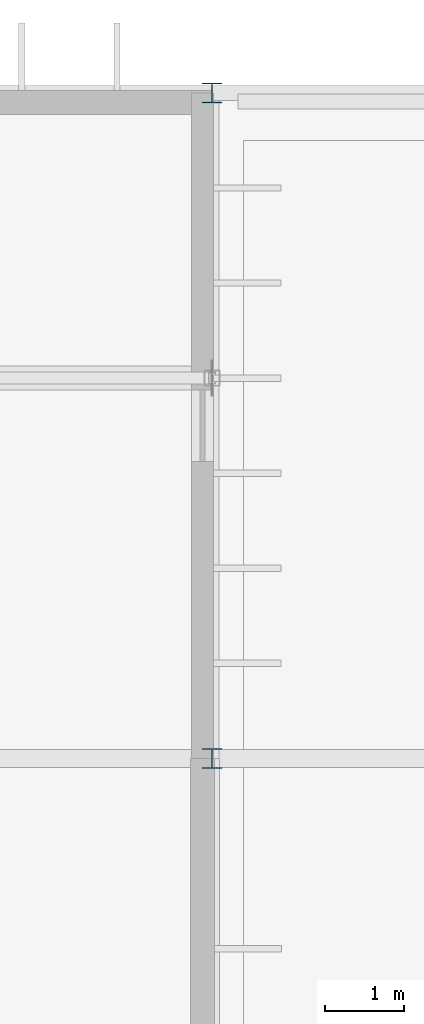
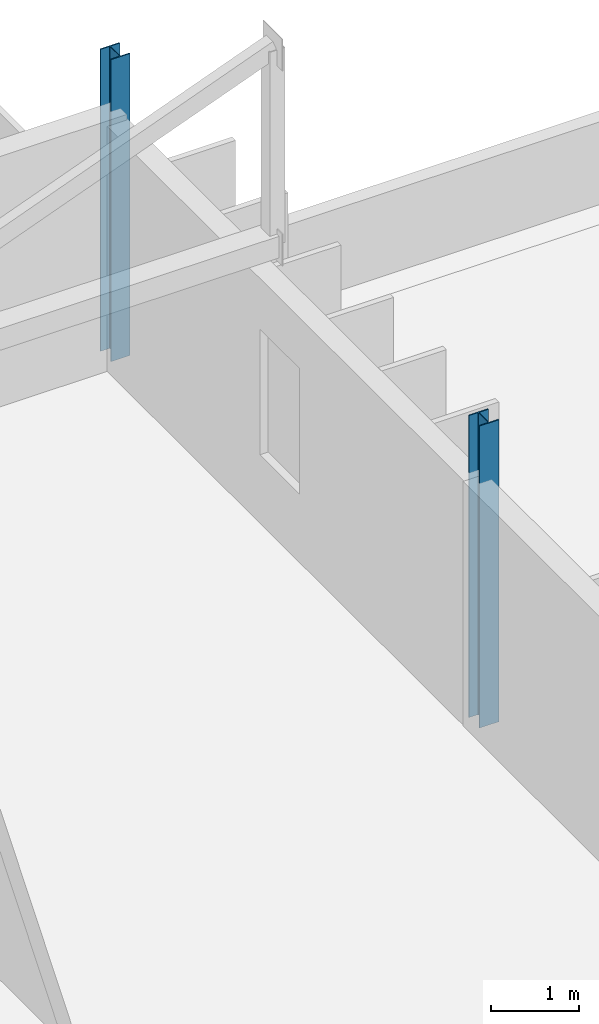
# One storey, part 11 of 52: 2 columns.
"""IFC4 building model written with IfcOpenShell, lengths in metres."""

from ifc_helpers import new_model, si_unit, direction, frame, origin, origin_2d, place, context, subcontext, project, spatial, i_section, extrude, material, material_profile, profile_set, type_object, element, save


model = new_model("IFC4")

# Units and contexts
model_context = context("Model", 3, precision=1e-05, world=origin(), true_north=direction((0.0, 1.0)))
body_context = subcontext(model_context, "Body", "Model", "MODEL_VIEW")
ifc_project = project(units=[si_unit("LENGTHUNIT", "METRE"), si_unit("AREAUNIT", "SQUARE_METRE"), si_unit("VOLUMEUNIT", "CUBIC_METRE"), si_unit("PLANEANGLEUNIT", "RADIAN"), si_unit("MASSUNIT", "GRAM", prefix="KILO")], contexts=[model_context])

# Site, building, storey
site_placement = place(None, origin())
site = spatial("IfcSite", under=ifc_project, at=site_placement, CompositionType="ELEMENT")
building_placement = place(site_placement, origin())
building = spatial("IfcBuilding", under=site, at=building_placement, Name="Qelthora Terrace Specialist Clinic", CompositionType="ELEMENT")
storey_placement = place(building_placement, frame((0.0, 0.0, 17.39990234375)))
storey = spatial("IfcBuildingStorey", under=building, at=storey_placement, Name="L04", CompositionType="ELEMENT", Elevation=17.39990234375)

# Columns
ifc_material = material(Name="Steel S355", Category="steel")
ifc_material_profile_1 = material_profile(ifc_material, i_section(OverallWidth=0.25390625, OverallDepth=0.2529296875, WebThickness=0.008544921875, FlangeThickness=0.01416015625, FilletRadius=0.012939453125, at=origin_2d()), Name="W250X73")
ifc_profile_set_1 = profile_set([ifc_material_profile_1], Name="Steel S355")
column_type_1 = type_object("IfcColumnType", Name="COL-W250X73", PredefinedType="COLUMN", material=ifc_profile_set_1)
column_1_placement = place(storey_placement, frame((100.800048828125, 109.199951171875, 0.0), z_axis=(0.0, 0.0, 1.0), x_axis=(1.0, 0.0, 0.0)))
element("IfcColumn", 1, at=column_1_placement, inside=storey, type_object=column_type_1, Name="Column L04-174", PredefinedType="COLUMN", context=body_context, shape_type="SweptSolid", body=[
    extrude(i_section(OverallWidth=0.25390625, OverallDepth=0.2529296875, WebThickness=0.008544921875, FlangeThickness=0.01416015625, FilletRadius=0.012939453125, at=origin_2d()), origin(), (0.0, 0.0, 1.0), 4.2001953125),
])
ifc_material_profile_2 = material_profile(ifc_material, i_section(OverallWidth=0.2548828125, OverallDepth=0.256103515625, WebThickness=0.009521484375, FlangeThickness=0.015625, FilletRadius=0.012939453125, at=origin_2d()), Name="W250X80")
ifc_profile_set_2 = profile_set([ifc_material_profile_2], Name="Steel S355")
column_type_2 = type_object("IfcColumnType", Name="COL-W250X80", PredefinedType="COLUMN", material=ifc_profile_set_2)
column_2_placement = place(storey_placement, frame((100.800048828125, 100.800048828125, 0.0), z_axis=(0.0, 0.0, 1.0), x_axis=(1.0, 0.0, 0.0)))
element("IfcColumn", 2, at=column_2_placement, inside=storey, type_object=column_type_2, Name="Column L04-173", PredefinedType="COLUMN", context=body_context, shape_type="SweptSolid", body=[
    extrude(i_section(OverallWidth=0.2548828125, OverallDepth=0.256103515625, WebThickness=0.009521484375, FlangeThickness=0.015625, FilletRadius=0.012939453125, at=origin_2d()), origin(), (0.0, 0.0, 1.0), 4.2001953125),
])

save(model, "model.ifc")
